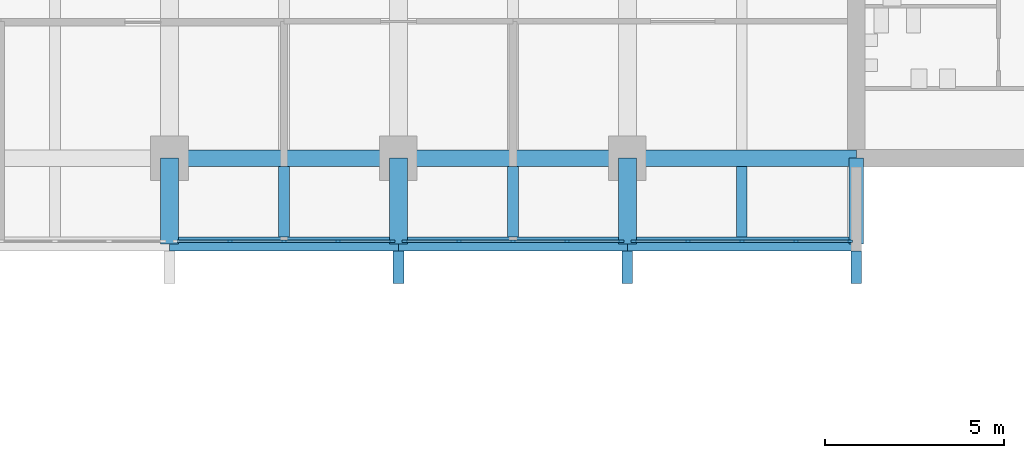
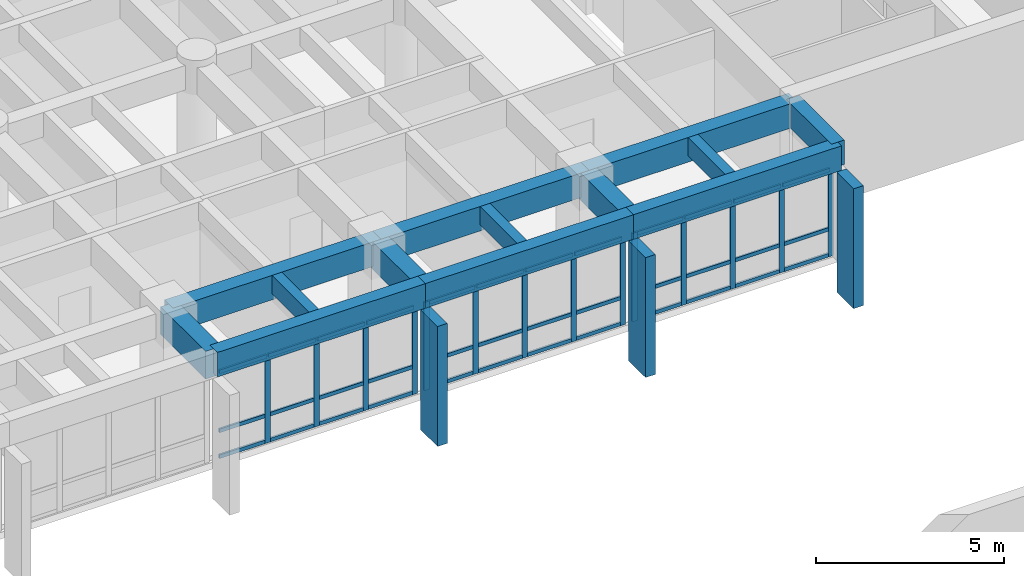
# One storey, part 3 of 19: 53 members, 13 beams, 3 elements without a shape of their own.
"""IFC4 building model written with IfcOpenShell, lengths in metres."""

from ifc_helpers import new_model, si_unit, direction, frame, origin, origin_2d, place, context, subcontext, project, spatial, rectangle, extrude, material, layer, layer_set, material_profile, profile_set, type_object, element, aggregate, save


model = new_model("IFC4")

# Units and contexts
model_context = context("Model", 3, precision=1e-05, world=origin(), true_north=direction((0.0, 1.0)))
body_context = subcontext(model_context, "Body", "Model", "MODEL_VIEW")
ifc_project = project(units=[si_unit("LENGTHUNIT", "METRE"), si_unit("AREAUNIT", "SQUARE_METRE"), si_unit("VOLUMEUNIT", "CUBIC_METRE"), si_unit("PLANEANGLEUNIT", "RADIAN"), si_unit("MASSUNIT", "GRAM", prefix="KILO")], contexts=[model_context])

# Site, building, storey
site_placement = place(None, origin())
site = spatial("IfcSite", under=ifc_project, at=site_placement, CompositionType="ELEMENT")
building_placement = place(site_placement, origin())
building = spatial("IfcBuilding", under=site, at=building_placement, Name="Fogon Plaza Fire Station and Headquarters Tower", CompositionType="ELEMENT")
storey_placement = place(building_placement, frame((0.0, 0.0, 21.0)))
storey = spatial("IfcBuildingStorey", under=building, at=storey_placement, Name="L05", CompositionType="ELEMENT", Elevation=21.0)

# Beams
ifc_material_1 = material(Name="Concrete C40", Category="concrete")
ifc_material_profile_1 = material_profile(ifc_material_1, rectangle(XDim=0.39990234375, YDim=0.800048828125, at=origin_2d()), Name="RC 400x800")
ifc_profile_set_1 = profile_set([ifc_material_profile_1], Name="Concrete C40")
beam_type_1 = type_object("IfcBeamType", Name="BEAM RC 400x800", PredefinedType="BEAM", material=ifc_profile_set_1)
beam_1_placement = place(storey_placement, frame((44.800048828125, 31.199951171875, 3.280029296875), z_axis=(1.0, 0.0, 0.0), x_axis=(0.0, 1.0, 0.0)))
element("IfcBeam", 1, at=beam_1_placement, inside=storey, type_object=beam_type_1, Name="beam-L05-042", PredefinedType="BEAM", context=body_context, shape_type="SweptSolid", body=[
    extrude(rectangle(XDim=0.39990234375, YDim=0.800048828125, at=origin_2d()), origin(), (0.0, 0.0, 1.0), 6.39990234375),
])
beam_2_placement = place(storey_placement, frame((51.199951171875, 31.199951171875, 3.280029296875), z_axis=(1.0, 0.0, 0.0), x_axis=(0.0, 1.0, 0.0)))
element("IfcBeam", 2, at=beam_2_placement, inside=storey, type_object=beam_type_1, Name="beam-L05-043", PredefinedType="BEAM", context=body_context, shape_type="SweptSolid", body=[
    extrude(rectangle(XDim=0.39990234375, YDim=0.800048828125, at=origin_2d()), origin(), (0.0, 0.0, 1.0), 6.400146484375),
])
beam_3_placement = place(storey_placement, frame((57.60009765625, 31.199951171875, 3.280029296875), z_axis=(1.0, 0.0, 0.0), x_axis=(0.0, 1.0, 0.0)))
element("IfcBeam", 3, at=beam_3_placement, inside=storey, type_object=beam_type_1, Name="beam-L05-044", PredefinedType="BEAM", context=body_context, shape_type="SweptSolid", body=[
    extrude(rectangle(XDim=0.39990234375, YDim=0.800048828125, at=origin_2d()), origin(), (0.0, 0.0, 1.0), 6.39990234375),
])
ifc_material_2 = material(Name="Concrete C40", Category="concrete")
ifc_material_profile_2 = material_profile(ifc_material_2, rectangle(XDim=0.39990234375, YDim=0.800048828125, at=origin_2d()), Name="RC 400x800")
ifc_profile_set_2 = profile_set([ifc_material_profile_2], Name="Concrete C40")
beam_type_2 = type_object("IfcBeamType", Name="BEAM RC 400x800 SPAN 0.0 TO 3.0 M", PredefinedType="BEAM", material=ifc_profile_set_2)
beam_4_placement = place(storey_placement, frame((64.0, 31.199951171875, 3.280029296875), z_axis=(0.0, 1.0, 0.0), x_axis=(-1.0, 0.0, 0.0)))
element("IfcBeam", 4, at=beam_4_placement, inside=storey, type_object=beam_type_2, Name="beam-L05-053", PredefinedType="BEAM", context=body_context, shape_type="SweptSolid", body=[
    extrude(rectangle(XDim=0.39990234375, YDim=0.800048828125, at=origin_2d()), origin(), (0.0, 0.0, 1.0), 2.400146484375),
])
ifc_material_3 = material(Name="Concrete C40", Category="concrete")
ifc_material_profile_3 = material_profile(ifc_material_3, rectangle(XDim=0.449951171875, YDim=0.800048828125, at=origin_2d()), Name="RC 450x800")
ifc_profile_set_3 = profile_set([ifc_material_profile_3], Name="Concrete C40")
beam_type_3 = type_object("IfcBeamType", Name="BEAM RC 450x800", PredefinedType="BEAM", material=ifc_profile_set_3)
beam_5_placement = place(storey_placement, frame((44.800048828125, 33.60009765625, 3.280029296875), z_axis=(1.0, 0.0, 0.0), x_axis=(0.0, 1.0, 0.0)))
element("IfcBeam", 5, at=beam_5_placement, inside=storey, type_object=beam_type_3, Name="beam-L05-024", PredefinedType="BEAM", context=body_context, shape_type="SweptSolid", body=[
    extrude(rectangle(XDim=0.449951171875, YDim=0.800048828125, at=origin_2d()), origin(), (0.0, 0.0, 1.0), 6.39990234375),
])
beam_6_placement = place(storey_placement, frame((51.199951171875, 33.60009765625, 3.280029296875), z_axis=(1.0, 0.0, 0.0), x_axis=(0.0, 1.0, 0.0)))
element("IfcBeam", 6, at=beam_6_placement, inside=storey, type_object=beam_type_3, Name="beam-L05-025", PredefinedType="BEAM", context=body_context, shape_type="SweptSolid", body=[
    extrude(rectangle(XDim=0.449951171875, YDim=0.800048828125, at=origin_2d()), origin(), (0.0, 0.0, 1.0), 6.400146484375),
])
beam_7_placement = place(storey_placement, frame((57.60009765625, 33.60009765625, 3.280029296875), z_axis=(1.0, 0.0, 0.0), x_axis=(0.0, 1.0, 0.0)))
element("IfcBeam", 7, at=beam_7_placement, inside=storey, type_object=beam_type_3, Name="beam-L05-026", PredefinedType="BEAM", context=body_context, shape_type="SweptSolid", body=[
    extrude(rectangle(XDim=0.449951171875, YDim=0.800048828125, at=origin_2d()), origin(), (0.0, 0.0, 1.0), 6.39990234375),
])
ifc_material_4 = material(Name="Concrete C40", Category="concrete")
ifc_material_profile_4 = material_profile(ifc_material_4, rectangle(XDim=0.5, YDim=0.89990234375, at=origin_2d()), Name="RC 500x900")
ifc_profile_set_4 = profile_set([ifc_material_profile_4], Name="Concrete C40")
beam_type_4 = type_object("IfcBeamType", Name="BEAM RC 500x900 SPAN 0.0 TO 3.0 M", PredefinedType="BEAM", material=ifc_profile_set_4)
for number, where, z_axis, x_axis, name in (
    (8, (44.800048828125, 31.199951171875, 3.22998046875), (0.0, 1.0, 0.0), (-1.0, 0.0, 0.0), "beam-L05-009"),
    (9, (51.199951171875, 31.199951171875, 3.22998046875), (0.0, 1.0, 0.0), (-1.0, 0.0, 0.0), "beam-L05-013"),
    (10, (57.60009765625, 31.199951171875, 3.22998046875), (0.0, 1.0, 0.0), (-1.0, 0.0, 0.0), "beam-L05-017"),
):
    element("IfcBeam", number, at=place(storey_placement, frame(where, z_axis=z_axis, x_axis=x_axis)), inside=storey, type_object=beam_type_4, Name=name, PredefinedType="BEAM", context=body_context, shape_type="SweptSolid", body=[
        extrude(rectangle(XDim=0.5, YDim=0.89990234375, at=origin_2d()), origin(), (0.0, 0.0, 1.0), 2.400146484375),
    ])

# Curtain wall, members
ifc_material_5 = material(Name="Aluminium and glass", Category="aluminium")
ifc_layer = layer(ifc_material_5, 0.14990234375)
ifc_layer_set = layer_set([ifc_layer], Name="Aluminium and glass")
curtain_wall_type = type_object("IfcCurtainWallType", Name="Unitised Curtain Wall Run 6100x2880", PredefinedType="NOTDEFINED", material=ifc_layer_set)
curtain_wall_1_placement = place(storey_placement, origin())
curtain_wall_1 = element("IfcCurtainWall", 11, at=curtain_wall_1_placement, inside=storey, type_object=curtain_wall_type, Name="CW-6100x2880 S4 L05", PredefinedType="NOTDEFINED")
ifc_material_6 = material(Name="Aluminium", Category="aluminium")
ifc_material_profile_5 = material_profile(ifc_material_6, rectangle(XDim=0.06005859375, YDim=0.159912109375, at=origin_2d()), Name="Curtain Wall Mullion 60x160")
ifc_profile_set_5 = profile_set([ifc_material_profile_5], Name="Aluminium")
member_type_1 = type_object("IfcMemberType", Name="Curtain Wall Mullion 60x160", PredefinedType="MULLION", material=ifc_profile_set_5)
member_1_placement = place(storey_placement, frame((46.489990234375, 31.280029296875, 0.0), z_axis=(0.0, 0.0, 1.0), x_axis=(0.0, 1.0, 0.0)))
member_1 = element("IfcMember", 12, at=member_1_placement, type_object=member_type_1, Name="CW-6100x2880 mullion 2", PredefinedType="MULLION", context=body_context, shape_type="SweptSolid", body=[
    extrude(rectangle(XDim=0.06005859375, YDim=0.159912109375, at=origin_2d()), origin(), (0.0, 0.0, 1.0), 2.8798828125),
])
member_2_placement = place(storey_placement, frame((48.0, 31.280029296875, 0.0), z_axis=(0.0, 0.0, 1.0), x_axis=(0.0, 1.0, 0.0)))
member_2 = element("IfcMember", 13, at=member_2_placement, type_object=member_type_1, Name="CW-6100x2880 mullion 3", PredefinedType="MULLION", context=body_context, shape_type="SweptSolid", body=[
    extrude(rectangle(XDim=0.06005859375, YDim=0.159912109375, at=origin_2d()), origin(), (0.0, 0.0, 1.0), 2.8798828125),
])
member_3_placement = place(storey_placement, frame((49.510009765625, 31.280029296875, 0.0), z_axis=(0.0, 0.0, 1.0), x_axis=(0.0, 1.0, 0.0)))
member_3 = element("IfcMember", 14, at=member_3_placement, type_object=member_type_1, Name="CW-6100x2880 mullion 4", PredefinedType="MULLION", context=body_context, shape_type="SweptSolid", body=[
    extrude(rectangle(XDim=0.06005859375, YDim=0.159912109375, at=origin_2d()), origin(), (0.0, 0.0, 1.0), 2.8798828125),
])
member_4_placement = place(storey_placement, frame((51.02001953125, 31.280029296875, 0.0), z_axis=(0.0, 0.0, 1.0), x_axis=(0.0, 1.0, 0.0)))
member_4 = element("IfcMember", 15, at=member_4_placement, type_object=member_type_1, Name="CW-6100x2880 mullion 5", PredefinedType="MULLION", context=body_context, shape_type="SweptSolid", body=[
    extrude(rectangle(XDim=0.06005859375, YDim=0.159912109375, at=origin_2d()), origin(), (0.0, 0.0, 1.0), 2.8798828125),
])

curtain_wall_2_placement = place(storey_placement, origin())
curtain_wall_2 = element("IfcCurtainWall", 16, at=curtain_wall_2_placement, inside=storey, type_object=curtain_wall_type, Name="CW-6100x2880 S5 L05", PredefinedType="NOTDEFINED")
member_5_placement = place(storey_placement, frame((51.3798828125, 31.280029296875, 0.0), z_axis=(0.0, 0.0, 1.0), x_axis=(0.0, 1.0, 0.0)))
member_5 = element("IfcMember", 17, at=member_5_placement, type_object=member_type_1, Name="CW-6100x2880 mullion 1", PredefinedType="MULLION", context=body_context, shape_type="SweptSolid", body=[
    extrude(rectangle(XDim=0.06005859375, YDim=0.159912109375, at=origin_2d()), origin(), (0.0, 0.0, 1.0), 2.8798828125),
])
member_6_placement = place(storey_placement, frame((52.889892578125, 31.280029296875, 0.0), z_axis=(0.0, 0.0, 1.0), x_axis=(0.0, 1.0, 0.0)))
member_6 = element("IfcMember", 18, at=member_6_placement, type_object=member_type_1, Name="CW-6100x2880 mullion 2", PredefinedType="MULLION", context=body_context, shape_type="SweptSolid", body=[
    extrude(rectangle(XDim=0.06005859375, YDim=0.159912109375, at=origin_2d()), origin(), (0.0, 0.0, 1.0), 2.8798828125),
])
member_7_placement = place(storey_placement, frame((54.39990234375, 31.280029296875, 0.0), z_axis=(0.0, 0.0, 1.0), x_axis=(0.0, 1.0, 0.0)))
member_7 = element("IfcMember", 19, at=member_7_placement, type_object=member_type_1, Name="CW-6100x2880 mullion 3", PredefinedType="MULLION", context=body_context, shape_type="SweptSolid", body=[
    extrude(rectangle(XDim=0.06005859375, YDim=0.159912109375, at=origin_2d()), origin(), (0.0, 0.0, 1.0), 2.8798828125),
])
member_8_placement = place(storey_placement, frame((55.909912109375, 31.280029296875, 0.0), z_axis=(0.0, 0.0, 1.0), x_axis=(0.0, 1.0, 0.0)))
member_8 = element("IfcMember", 20, at=member_8_placement, type_object=member_type_1, Name="CW-6100x2880 mullion 4", PredefinedType="MULLION", context=body_context, shape_type="SweptSolid", body=[
    extrude(rectangle(XDim=0.06005859375, YDim=0.159912109375, at=origin_2d()), origin(), (0.0, 0.0, 1.0), 2.8798828125),
])
member_9_placement = place(storey_placement, frame((57.419921875, 31.280029296875, 0.0), z_axis=(0.0, 0.0, 1.0), x_axis=(0.0, 1.0, 0.0)))
member_9 = element("IfcMember", 21, at=member_9_placement, type_object=member_type_1, Name="CW-6100x2880 mullion 5", PredefinedType="MULLION", context=body_context, shape_type="SweptSolid", body=[
    extrude(rectangle(XDim=0.06005859375, YDim=0.159912109375, at=origin_2d()), origin(), (0.0, 0.0, 1.0), 2.8798828125),
])

curtain_wall_3_placement = place(storey_placement, origin())
curtain_wall_3 = element("IfcCurtainWall", 22, at=curtain_wall_3_placement, inside=storey, type_object=curtain_wall_type, Name="CW-6100x2880 S6 L05", PredefinedType="NOTDEFINED")
member_10_placement = place(storey_placement, frame((57.780029296875, 31.280029296875, 0.0), z_axis=(0.0, 0.0, 1.0), x_axis=(0.0, 1.0, 0.0)))
member_10 = element("IfcMember", 23, at=member_10_placement, type_object=member_type_1, Name="CW-6100x2880 mullion 1", PredefinedType="MULLION", context=body_context, shape_type="SweptSolid", body=[
    extrude(rectangle(XDim=0.06005859375, YDim=0.159912109375, at=origin_2d()), origin(), (0.0, 0.0, 1.0), 2.8798828125),
])
member_11_placement = place(storey_placement, frame((59.2900390625, 31.280029296875, 0.0), z_axis=(0.0, 0.0, 1.0), x_axis=(0.0, 1.0, 0.0)))
member_11 = element("IfcMember", 24, at=member_11_placement, type_object=member_type_1, Name="CW-6100x2880 mullion 2", PredefinedType="MULLION", context=body_context, shape_type="SweptSolid", body=[
    extrude(rectangle(XDim=0.06005859375, YDim=0.159912109375, at=origin_2d()), origin(), (0.0, 0.0, 1.0), 2.8798828125),
])
member_12_placement = place(storey_placement, frame((60.800048828125, 31.280029296875, 0.0), z_axis=(0.0, 0.0, 1.0), x_axis=(0.0, 1.0, 0.0)))
member_12 = element("IfcMember", 25, at=member_12_placement, type_object=member_type_1, Name="CW-6100x2880 mullion 3", PredefinedType="MULLION", context=body_context, shape_type="SweptSolid", body=[
    extrude(rectangle(XDim=0.06005859375, YDim=0.159912109375, at=origin_2d()), origin(), (0.0, 0.0, 1.0), 2.8798828125),
])
member_13_placement = place(storey_placement, frame((62.31005859375, 31.280029296875, 0.0), z_axis=(0.0, 0.0, 1.0), x_axis=(0.0, 1.0, 0.0)))
member_13 = element("IfcMember", 26, at=member_13_placement, type_object=member_type_1, Name="CW-6100x2880 mullion 4", PredefinedType="MULLION", context=body_context, shape_type="SweptSolid", body=[
    extrude(rectangle(XDim=0.06005859375, YDim=0.159912109375, at=origin_2d()), origin(), (0.0, 0.0, 1.0), 2.8798828125),
])
member_14_placement = place(storey_placement, frame((63.820068359375, 31.280029296875, 0.0), z_axis=(0.0, 0.0, 1.0), x_axis=(0.0, 1.0, 0.0)))
member_14 = element("IfcMember", 27, at=member_14_placement, type_object=member_type_1, Name="CW-6100x2880 mullion 5", PredefinedType="MULLION", context=body_context, shape_type="SweptSolid", body=[
    extrude(rectangle(XDim=0.06005859375, YDim=0.159912109375, at=origin_2d()), origin(), (0.0, 0.0, 1.0), 2.8798828125),
])

# Member
ifc_material_7 = material(Name="Aluminium", Category="aluminium")
ifc_material_profile_6 = material_profile(ifc_material_7, rectangle(XDim=0.06005859375, YDim=0.1201171875, at=origin_2d()), Name="Curtain Wall Transom 60x120")
ifc_profile_set_6 = profile_set([ifc_material_profile_6], Name="Aluminium")
member_type_2 = type_object("IfcMemberType", Name="Curtain Wall Transom 60x120", PredefinedType="USERDEFINED", material=ifc_profile_set_6)
member_15_placement = place(storey_placement, frame((45.010009765625, 31.280029296875, 0.06005859375), z_axis=(1.0, 0.0, 0.0), x_axis=(0.0, 1.0, 0.0)))
member_15 = element("IfcMember", 28, at=member_15_placement, type_object=member_type_2, Name="CW-6100x2880 transom 1.1", ObjectType="TRANSOM", PredefinedType="USERDEFINED", context=body_context, shape_type="SweptSolid", body=[
    extrude(rectangle(XDim=0.06005859375, YDim=0.1201171875, at=origin_2d()), origin(), (0.0, 0.0, 1.0), 1.449951171875),
])

member_16_placement = place(storey_placement, frame((45.010009765625, 31.280029296875, 0.89990234375), z_axis=(1.0, 0.0, 0.0), x_axis=(0.0, 1.0, 0.0)))
member_16 = element("IfcMember", 29, at=member_16_placement, type_object=member_type_2, Name="CW-6100x2880 transom 1.2", ObjectType="TRANSOM", PredefinedType="USERDEFINED", context=body_context, shape_type="SweptSolid", body=[
    extrude(rectangle(XDim=0.06005859375, YDim=0.1201171875, at=origin_2d()), origin(), (0.0, 0.0, 1.0), 1.449951171875),
])

member_17_placement = place(storey_placement, frame((45.010009765625, 31.280029296875, 2.820068359375), z_axis=(1.0, 0.0, 0.0), x_axis=(0.0, 1.0, 0.0)))
member_17 = element("IfcMember", 30, at=member_17_placement, type_object=member_type_2, Name="CW-6100x2880 transom 1.3", ObjectType="TRANSOM", PredefinedType="USERDEFINED", context=body_context, shape_type="SweptSolid", body=[
    extrude(rectangle(XDim=0.06005859375, YDim=0.1201171875, at=origin_2d()), origin(), (0.0, 0.0, 1.0), 1.449951171875),
])

member_18_placement = place(storey_placement, frame((46.52001953125, 31.280029296875, 0.06005859375), z_axis=(1.0, 0.0, 0.0), x_axis=(0.0, 1.0, 0.0)))
member_18 = element("IfcMember", 31, at=member_18_placement, type_object=member_type_2, Name="CW-6100x2880 transom 2.1", ObjectType="TRANSOM", PredefinedType="USERDEFINED", context=body_context, shape_type="SweptSolid", body=[
    extrude(rectangle(XDim=0.06005859375, YDim=0.1201171875, at=origin_2d()), origin(), (0.0, 0.0, 1.0), 1.449951171875),
])

member_19_placement = place(storey_placement, frame((46.52001953125, 31.280029296875, 0.89990234375), z_axis=(1.0, 0.0, 0.0), x_axis=(0.0, 1.0, 0.0)))
member_19 = element("IfcMember", 32, at=member_19_placement, type_object=member_type_2, Name="CW-6100x2880 transom 2.2", ObjectType="TRANSOM", PredefinedType="USERDEFINED", context=body_context, shape_type="SweptSolid", body=[
    extrude(rectangle(XDim=0.06005859375, YDim=0.1201171875, at=origin_2d()), origin(), (0.0, 0.0, 1.0), 1.449951171875),
])

member_20_placement = place(storey_placement, frame((46.52001953125, 31.280029296875, 2.820068359375), z_axis=(1.0, 0.0, 0.0), x_axis=(0.0, 1.0, 0.0)))
member_20 = element("IfcMember", 33, at=member_20_placement, type_object=member_type_2, Name="CW-6100x2880 transom 2.3", ObjectType="TRANSOM", PredefinedType="USERDEFINED", context=body_context, shape_type="SweptSolid", body=[
    extrude(rectangle(XDim=0.06005859375, YDim=0.1201171875, at=origin_2d()), origin(), (0.0, 0.0, 1.0), 1.449951171875),
])

member_21_placement = place(storey_placement, frame((48.030029296875, 31.280029296875, 0.06005859375), z_axis=(1.0, 0.0, 0.0), x_axis=(0.0, 1.0, 0.0)))
member_21 = element("IfcMember", 34, at=member_21_placement, type_object=member_type_2, Name="CW-6100x2880 transom 3.1", ObjectType="TRANSOM", PredefinedType="USERDEFINED", context=body_context, shape_type="SweptSolid", body=[
    extrude(rectangle(XDim=0.06005859375, YDim=0.1201171875, at=origin_2d()), origin(), (0.0, 0.0, 1.0), 1.449951171875),
])

member_22_placement = place(storey_placement, frame((48.030029296875, 31.280029296875, 0.89990234375), z_axis=(1.0, 0.0, 0.0), x_axis=(0.0, 1.0, 0.0)))
member_22 = element("IfcMember", 35, at=member_22_placement, type_object=member_type_2, Name="CW-6100x2880 transom 3.2", ObjectType="TRANSOM", PredefinedType="USERDEFINED", context=body_context, shape_type="SweptSolid", body=[
    extrude(rectangle(XDim=0.06005859375, YDim=0.1201171875, at=origin_2d()), origin(), (0.0, 0.0, 1.0), 1.449951171875),
])

member_23_placement = place(storey_placement, frame((48.030029296875, 31.280029296875, 2.820068359375), z_axis=(1.0, 0.0, 0.0), x_axis=(0.0, 1.0, 0.0)))
member_23 = element("IfcMember", 36, at=member_23_placement, type_object=member_type_2, Name="CW-6100x2880 transom 3.3", ObjectType="TRANSOM", PredefinedType="USERDEFINED", context=body_context, shape_type="SweptSolid", body=[
    extrude(rectangle(XDim=0.06005859375, YDim=0.1201171875, at=origin_2d()), origin(), (0.0, 0.0, 1.0), 1.449951171875),
])

member_24_placement = place(storey_placement, frame((49.5400390625, 31.280029296875, 0.06005859375), z_axis=(1.0, 0.0, 0.0), x_axis=(0.0, 1.0, 0.0)))
member_24 = element("IfcMember", 37, at=member_24_placement, type_object=member_type_2, Name="CW-6100x2880 transom 4.1", ObjectType="TRANSOM", PredefinedType="USERDEFINED", context=body_context, shape_type="SweptSolid", body=[
    extrude(rectangle(XDim=0.06005859375, YDim=0.1201171875, at=origin_2d()), origin(), (0.0, 0.0, 1.0), 1.449951171875),
])

member_25_placement = place(storey_placement, frame((49.5400390625, 31.280029296875, 0.89990234375), z_axis=(1.0, 0.0, 0.0), x_axis=(0.0, 1.0, 0.0)))
member_25 = element("IfcMember", 38, at=member_25_placement, type_object=member_type_2, Name="CW-6100x2880 transom 4.2", ObjectType="TRANSOM", PredefinedType="USERDEFINED", context=body_context, shape_type="SweptSolid", body=[
    extrude(rectangle(XDim=0.06005859375, YDim=0.1201171875, at=origin_2d()), origin(), (0.0, 0.0, 1.0), 1.449951171875),
])

member_26_placement = place(storey_placement, frame((49.5400390625, 31.280029296875, 2.820068359375), z_axis=(1.0, 0.0, 0.0), x_axis=(0.0, 1.0, 0.0)))
member_26 = element("IfcMember", 39, at=member_26_placement, type_object=member_type_2, Name="CW-6100x2880 transom 4.3", ObjectType="TRANSOM", PredefinedType="USERDEFINED", context=body_context, shape_type="SweptSolid", body=[
    extrude(rectangle(XDim=0.06005859375, YDim=0.1201171875, at=origin_2d()), origin(), (0.0, 0.0, 1.0), 1.449951171875),
])

aggregate(curtain_wall_1, [member_1, member_2, member_3, member_4, member_15, member_16, member_17, member_18, member_19, member_20, member_21, member_22, member_23, member_24, member_25, member_26])

member_27_placement = place(storey_placement, frame((51.409912109375, 31.280029296875, 0.06005859375), z_axis=(1.0, 0.0, 0.0), x_axis=(0.0, 1.0, 0.0)))
member_27 = element("IfcMember", 40, at=member_27_placement, type_object=member_type_2, Name="CW-6100x2880 transom 1.1", ObjectType="TRANSOM", PredefinedType="USERDEFINED", context=body_context, shape_type="SweptSolid", body=[
    extrude(rectangle(XDim=0.06005859375, YDim=0.1201171875, at=origin_2d()), origin(), (0.0, 0.0, 1.0), 1.4501953125),
])

member_28_placement = place(storey_placement, frame((51.409912109375, 31.280029296875, 0.89990234375), z_axis=(1.0, 0.0, 0.0), x_axis=(0.0, 1.0, 0.0)))
member_28 = element("IfcMember", 41, at=member_28_placement, type_object=member_type_2, Name="CW-6100x2880 transom 1.2", ObjectType="TRANSOM", PredefinedType="USERDEFINED", context=body_context, shape_type="SweptSolid", body=[
    extrude(rectangle(XDim=0.06005859375, YDim=0.1201171875, at=origin_2d()), origin(), (0.0, 0.0, 1.0), 1.4501953125),
])

member_29_placement = place(storey_placement, frame((51.409912109375, 31.280029296875, 2.820068359375), z_axis=(1.0, 0.0, 0.0), x_axis=(0.0, 1.0, 0.0)))
member_29 = element("IfcMember", 42, at=member_29_placement, type_object=member_type_2, Name="CW-6100x2880 transom 1.3", ObjectType="TRANSOM", PredefinedType="USERDEFINED", context=body_context, shape_type="SweptSolid", body=[
    extrude(rectangle(XDim=0.06005859375, YDim=0.1201171875, at=origin_2d()), origin(), (0.0, 0.0, 1.0), 1.4501953125),
])

member_30_placement = place(storey_placement, frame((52.919921875, 31.280029296875, 0.06005859375), z_axis=(1.0, 0.0, 0.0), x_axis=(0.0, 1.0, 0.0)))
member_30 = element("IfcMember", 43, at=member_30_placement, type_object=member_type_2, Name="CW-6100x2880 transom 2.1", ObjectType="TRANSOM", PredefinedType="USERDEFINED", context=body_context, shape_type="SweptSolid", body=[
    extrude(rectangle(XDim=0.06005859375, YDim=0.1201171875, at=origin_2d()), origin(), (0.0, 0.0, 1.0), 1.4501953125),
])

member_31_placement = place(storey_placement, frame((52.919921875, 31.280029296875, 0.89990234375), z_axis=(1.0, 0.0, 0.0), x_axis=(0.0, 1.0, 0.0)))
member_31 = element("IfcMember", 44, at=member_31_placement, type_object=member_type_2, Name="CW-6100x2880 transom 2.2", ObjectType="TRANSOM", PredefinedType="USERDEFINED", context=body_context, shape_type="SweptSolid", body=[
    extrude(rectangle(XDim=0.06005859375, YDim=0.1201171875, at=origin_2d()), origin(), (0.0, 0.0, 1.0), 1.4501953125),
])

member_32_placement = place(storey_placement, frame((52.919921875, 31.280029296875, 2.820068359375), z_axis=(1.0, 0.0, 0.0), x_axis=(0.0, 1.0, 0.0)))
member_32 = element("IfcMember", 45, at=member_32_placement, type_object=member_type_2, Name="CW-6100x2880 transom 2.3", ObjectType="TRANSOM", PredefinedType="USERDEFINED", context=body_context, shape_type="SweptSolid", body=[
    extrude(rectangle(XDim=0.06005859375, YDim=0.1201171875, at=origin_2d()), origin(), (0.0, 0.0, 1.0), 1.4501953125),
])

member_33_placement = place(storey_placement, frame((54.429931640625, 31.280029296875, 0.06005859375), z_axis=(1.0, 0.0, 0.0), x_axis=(0.0, 1.0, 0.0)))
member_33 = element("IfcMember", 46, at=member_33_placement, type_object=member_type_2, Name="CW-6100x2880 transom 3.1", ObjectType="TRANSOM", PredefinedType="USERDEFINED", context=body_context, shape_type="SweptSolid", body=[
    extrude(rectangle(XDim=0.06005859375, YDim=0.1201171875, at=origin_2d()), origin(), (0.0, 0.0, 1.0), 1.449951171875),
])

member_34_placement = place(storey_placement, frame((54.429931640625, 31.280029296875, 0.89990234375), z_axis=(1.0, 0.0, 0.0), x_axis=(0.0, 1.0, 0.0)))
member_34 = element("IfcMember", 47, at=member_34_placement, type_object=member_type_2, Name="CW-6100x2880 transom 3.2", ObjectType="TRANSOM", PredefinedType="USERDEFINED", context=body_context, shape_type="SweptSolid", body=[
    extrude(rectangle(XDim=0.06005859375, YDim=0.1201171875, at=origin_2d()), origin(), (0.0, 0.0, 1.0), 1.449951171875),
])

member_35_placement = place(storey_placement, frame((54.429931640625, 31.280029296875, 2.820068359375), z_axis=(1.0, 0.0, 0.0), x_axis=(0.0, 1.0, 0.0)))
member_35 = element("IfcMember", 48, at=member_35_placement, type_object=member_type_2, Name="CW-6100x2880 transom 3.3", ObjectType="TRANSOM", PredefinedType="USERDEFINED", context=body_context, shape_type="SweptSolid", body=[
    extrude(rectangle(XDim=0.06005859375, YDim=0.1201171875, at=origin_2d()), origin(), (0.0, 0.0, 1.0), 1.449951171875),
])

member_36_placement = place(storey_placement, frame((55.93994140625, 31.280029296875, 0.06005859375), z_axis=(1.0, 0.0, 0.0), x_axis=(0.0, 1.0, 0.0)))
member_36 = element("IfcMember", 49, at=member_36_placement, type_object=member_type_2, Name="CW-6100x2880 transom 4.1", ObjectType="TRANSOM", PredefinedType="USERDEFINED", context=body_context, shape_type="SweptSolid", body=[
    extrude(rectangle(XDim=0.06005859375, YDim=0.1201171875, at=origin_2d()), origin(), (0.0, 0.0, 1.0), 1.449951171875),
])

member_37_placement = place(storey_placement, frame((55.93994140625, 31.280029296875, 0.89990234375), z_axis=(1.0, 0.0, 0.0), x_axis=(0.0, 1.0, 0.0)))
member_37 = element("IfcMember", 50, at=member_37_placement, type_object=member_type_2, Name="CW-6100x2880 transom 4.2", ObjectType="TRANSOM", PredefinedType="USERDEFINED", context=body_context, shape_type="SweptSolid", body=[
    extrude(rectangle(XDim=0.06005859375, YDim=0.1201171875, at=origin_2d()), origin(), (0.0, 0.0, 1.0), 1.449951171875),
])

member_38_placement = place(storey_placement, frame((55.93994140625, 31.280029296875, 2.820068359375), z_axis=(1.0, 0.0, 0.0), x_axis=(0.0, 1.0, 0.0)))
member_38 = element("IfcMember", 51, at=member_38_placement, type_object=member_type_2, Name="CW-6100x2880 transom 4.3", ObjectType="TRANSOM", PredefinedType="USERDEFINED", context=body_context, shape_type="SweptSolid", body=[
    extrude(rectangle(XDim=0.06005859375, YDim=0.1201171875, at=origin_2d()), origin(), (0.0, 0.0, 1.0), 1.449951171875),
])

aggregate(curtain_wall_2, [member_5, member_6, member_7, member_8, member_9, member_27, member_28, member_29, member_30, member_31, member_32, member_33, member_34, member_35, member_36, member_37, member_38])

member_39_placement = place(storey_placement, frame((57.81005859375, 31.280029296875, 0.06005859375), z_axis=(1.0, 0.0, 0.0), x_axis=(0.0, 1.0, 0.0)))
member_39 = element("IfcMember", 52, at=member_39_placement, type_object=member_type_2, Name="CW-6100x2880 transom 1.1", ObjectType="TRANSOM", PredefinedType="USERDEFINED", context=body_context, shape_type="SweptSolid", body=[
    extrude(rectangle(XDim=0.06005859375, YDim=0.1201171875, at=origin_2d()), origin(), (0.0, 0.0, 1.0), 1.449951171875),
])

member_40_placement = place(storey_placement, frame((57.81005859375, 31.280029296875, 0.89990234375), z_axis=(1.0, 0.0, 0.0), x_axis=(0.0, 1.0, 0.0)))
member_40 = element("IfcMember", 53, at=member_40_placement, type_object=member_type_2, Name="CW-6100x2880 transom 1.2", ObjectType="TRANSOM", PredefinedType="USERDEFINED", context=body_context, shape_type="SweptSolid", body=[
    extrude(rectangle(XDim=0.06005859375, YDim=0.1201171875, at=origin_2d()), origin(), (0.0, 0.0, 1.0), 1.449951171875),
])

member_41_placement = place(storey_placement, frame((57.81005859375, 31.280029296875, 2.820068359375), z_axis=(1.0, 0.0, 0.0), x_axis=(0.0, 1.0, 0.0)))
member_41 = element("IfcMember", 54, at=member_41_placement, type_object=member_type_2, Name="CW-6100x2880 transom 1.3", ObjectType="TRANSOM", PredefinedType="USERDEFINED", context=body_context, shape_type="SweptSolid", body=[
    extrude(rectangle(XDim=0.06005859375, YDim=0.1201171875, at=origin_2d()), origin(), (0.0, 0.0, 1.0), 1.449951171875),
])

member_42_placement = place(storey_placement, frame((59.320068359375, 31.280029296875, 0.06005859375), z_axis=(1.0, 0.0, 0.0), x_axis=(0.0, 1.0, 0.0)))
member_42 = element("IfcMember", 55, at=member_42_placement, type_object=member_type_2, Name="CW-6100x2880 transom 2.1", ObjectType="TRANSOM", PredefinedType="USERDEFINED", context=body_context, shape_type="SweptSolid", body=[
    extrude(rectangle(XDim=0.06005859375, YDim=0.1201171875, at=origin_2d()), origin(), (0.0, 0.0, 1.0), 1.449951171875),
])

member_43_placement = place(storey_placement, frame((59.320068359375, 31.280029296875, 0.89990234375), z_axis=(1.0, 0.0, 0.0), x_axis=(0.0, 1.0, 0.0)))
member_43 = element("IfcMember", 56, at=member_43_placement, type_object=member_type_2, Name="CW-6100x2880 transom 2.2", ObjectType="TRANSOM", PredefinedType="USERDEFINED", context=body_context, shape_type="SweptSolid", body=[
    extrude(rectangle(XDim=0.06005859375, YDim=0.1201171875, at=origin_2d()), origin(), (0.0, 0.0, 1.0), 1.449951171875),
])

member_44_placement = place(storey_placement, frame((59.320068359375, 31.280029296875, 2.820068359375), z_axis=(1.0, 0.0, 0.0), x_axis=(0.0, 1.0, 0.0)))
member_44 = element("IfcMember", 57, at=member_44_placement, type_object=member_type_2, Name="CW-6100x2880 transom 2.3", ObjectType="TRANSOM", PredefinedType="USERDEFINED", context=body_context, shape_type="SweptSolid", body=[
    extrude(rectangle(XDim=0.06005859375, YDim=0.1201171875, at=origin_2d()), origin(), (0.0, 0.0, 1.0), 1.449951171875),
])

member_45_placement = place(storey_placement, frame((60.830078125, 31.280029296875, 0.06005859375), z_axis=(1.0, 0.0, 0.0), x_axis=(0.0, 1.0, 0.0)))
member_45 = element("IfcMember", 58, at=member_45_placement, type_object=member_type_2, Name="CW-6100x2880 transom 3.1", ObjectType="TRANSOM", PredefinedType="USERDEFINED", context=body_context, shape_type="SweptSolid", body=[
    extrude(rectangle(XDim=0.06005859375, YDim=0.1201171875, at=origin_2d()), origin(), (0.0, 0.0, 1.0), 1.449951171875),
])

member_46_placement = place(storey_placement, frame((60.830078125, 31.280029296875, 0.89990234375), z_axis=(1.0, 0.0, 0.0), x_axis=(0.0, 1.0, 0.0)))
member_46 = element("IfcMember", 59, at=member_46_placement, type_object=member_type_2, Name="CW-6100x2880 transom 3.2", ObjectType="TRANSOM", PredefinedType="USERDEFINED", context=body_context, shape_type="SweptSolid", body=[
    extrude(rectangle(XDim=0.06005859375, YDim=0.1201171875, at=origin_2d()), origin(), (0.0, 0.0, 1.0), 1.449951171875),
])

member_47_placement = place(storey_placement, frame((60.830078125, 31.280029296875, 2.820068359375), z_axis=(1.0, 0.0, 0.0), x_axis=(0.0, 1.0, 0.0)))
member_47 = element("IfcMember", 60, at=member_47_placement, type_object=member_type_2, Name="CW-6100x2880 transom 3.3", ObjectType="TRANSOM", PredefinedType="USERDEFINED", context=body_context, shape_type="SweptSolid", body=[
    extrude(rectangle(XDim=0.06005859375, YDim=0.1201171875, at=origin_2d()), origin(), (0.0, 0.0, 1.0), 1.449951171875),
])

member_48_placement = place(storey_placement, frame((62.340087890625, 31.280029296875, 0.06005859375), z_axis=(1.0, 0.0, 0.0), x_axis=(0.0, 1.0, 0.0)))
member_48 = element("IfcMember", 61, at=member_48_placement, type_object=member_type_2, Name="CW-6100x2880 transom 4.1", ObjectType="TRANSOM", PredefinedType="USERDEFINED", context=body_context, shape_type="SweptSolid", body=[
    extrude(rectangle(XDim=0.06005859375, YDim=0.1201171875, at=origin_2d()), origin(), (0.0, 0.0, 1.0), 1.449951171875),
])

member_49_placement = place(storey_placement, frame((62.340087890625, 31.280029296875, 0.89990234375), z_axis=(1.0, 0.0, 0.0), x_axis=(0.0, 1.0, 0.0)))
member_49 = element("IfcMember", 62, at=member_49_placement, type_object=member_type_2, Name="CW-6100x2880 transom 4.2", ObjectType="TRANSOM", PredefinedType="USERDEFINED", context=body_context, shape_type="SweptSolid", body=[
    extrude(rectangle(XDim=0.06005859375, YDim=0.1201171875, at=origin_2d()), origin(), (0.0, 0.0, 1.0), 1.449951171875),
])

member_50_placement = place(storey_placement, frame((62.340087890625, 31.280029296875, 2.820068359375), z_axis=(1.0, 0.0, 0.0), x_axis=(0.0, 1.0, 0.0)))
member_50 = element("IfcMember", 63, at=member_50_placement, type_object=member_type_2, Name="CW-6100x2880 transom 4.3", ObjectType="TRANSOM", PredefinedType="USERDEFINED", context=body_context, shape_type="SweptSolid", body=[
    extrude(rectangle(XDim=0.06005859375, YDim=0.1201171875, at=origin_2d()), origin(), (0.0, 0.0, 1.0), 1.449951171875),
])

aggregate(curtain_wall_3, [member_10, member_11, member_12, member_13, member_14, member_39, member_40, member_41, member_42, member_43, member_44, member_45, member_46, member_47, member_48, member_49, member_50])

# Beams
ifc_material_8 = material(Name="Concrete C40", Category="concrete")
ifc_material_profile_7 = material_profile(ifc_material_8, rectangle(XDim=0.300048828125, YDim=0.60009765625, at=origin_2d()), Name="RC 300x600")
ifc_profile_set_7 = profile_set([ifc_material_profile_7], Name="Concrete C40")
beam_type_5 = type_object("IfcBeamType", Name="JOIST RC 300x600 SPAN 0.0 TO 3.0 M", PredefinedType="JOIST", material=ifc_profile_set_7)
for number, where, z_axis, x_axis, name in (
    (64, (48.0, 31.39990234375, 3.3798828125), (0.0, 1.0, 0.0), (-1.0, 0.0, 0.0), "beam-L05-067"),
    (65, (54.39990234375, 31.39990234375, 3.3798828125), (0.0, 1.0, 0.0), (-1.0, 0.0, 0.0), "beam-L05-071"),
    (66, (60.800048828125, 31.39990234375, 3.3798828125), (0.0, 1.0, 0.0), (-1.0, 0.0, 0.0), "beam-L05-075"),
):
    element("IfcBeam", number, at=place(storey_placement, frame(where, z_axis=z_axis, x_axis=x_axis)), inside=storey, type_object=beam_type_5, Name=name, PredefinedType="JOIST", context=body_context, shape_type="SweptSolid", body=[
        extrude(rectangle(XDim=0.300048828125, YDim=0.60009765625, at=origin_2d()), origin(), (0.0, 0.0, 1.0), 1.97509765625),
    ])

# Members
ifc_material_9 = material(Name="Concrete C40 precast", Category="concrete")
ifc_material_profile_8 = material_profile(ifc_material_9, rectangle(XDim=0.300048828125, YDim=0.89990234375, at=origin_2d()), Name="Precast Concrete Post 300x900")
ifc_profile_set_8 = profile_set([ifc_material_profile_8], Name="Concrete C40 precast")
member_type_3 = type_object("IfcMemberType", Name="Precast Concrete Post 300x900", PredefinedType="POST", material=ifc_profile_set_8)
for number, where, z_axis, x_axis, name in (
    (67, (51.199951171875, 30.550048828125, -1.02001953125), (0.0, 0.0, 1.0), (1.0, 0.0, 0.0), "Precast Post S L05"),
    (68, (57.60009765625, 30.550048828125, -1.02001953125), (0.0, 0.0, 1.0), (1.0, 0.0, 0.0), "Precast Post S L05"),
    (69, (64.0, 30.550048828125, -1.02001953125), (0.0, 0.0, 1.0), (1.0, 0.0, 0.0), "Precast Post S L05"),
):
    element("IfcMember", number, at=place(storey_placement, frame(where, z_axis=z_axis, x_axis=x_axis)), inside=storey, type_object=member_type_3, Name=name, PredefinedType="POST", context=body_context, shape_type="SweptSolid", body=[
        extrude(rectangle(XDim=0.300048828125, YDim=0.89990234375, at=origin_2d()), origin(), (0.0, 0.0, 1.0), 3.89990234375),
    ])

save(model, "model.ifc")
